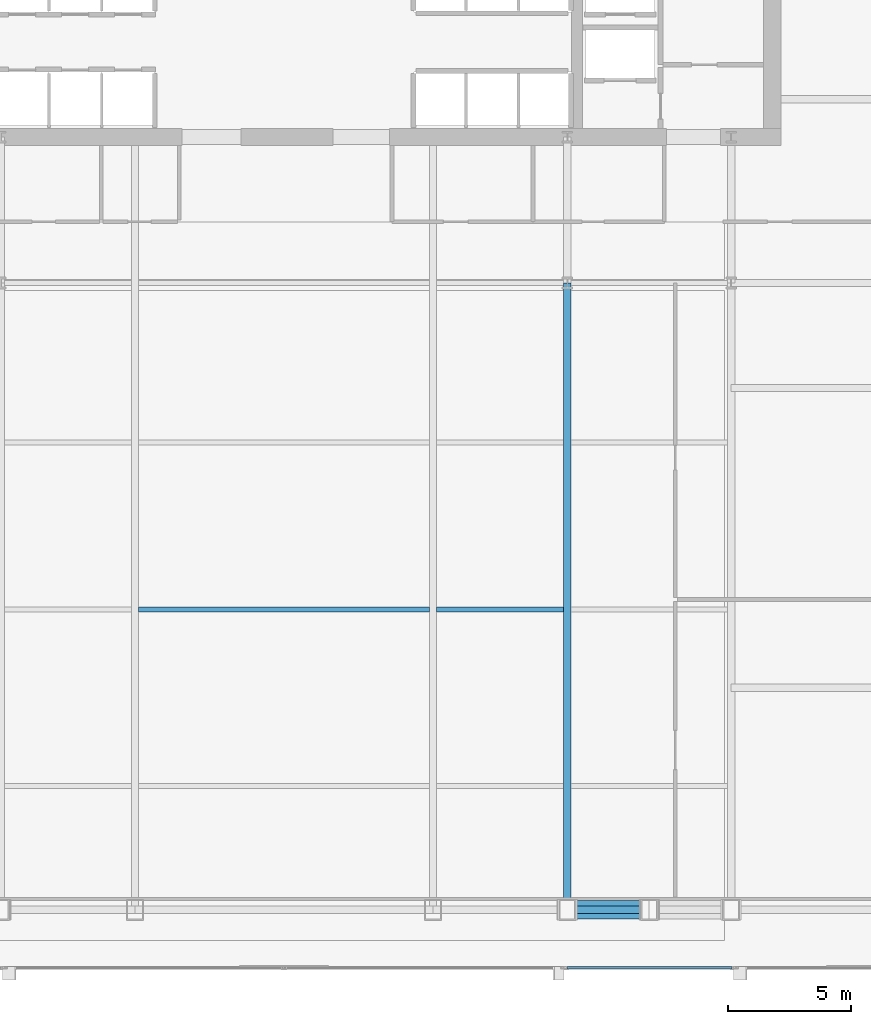
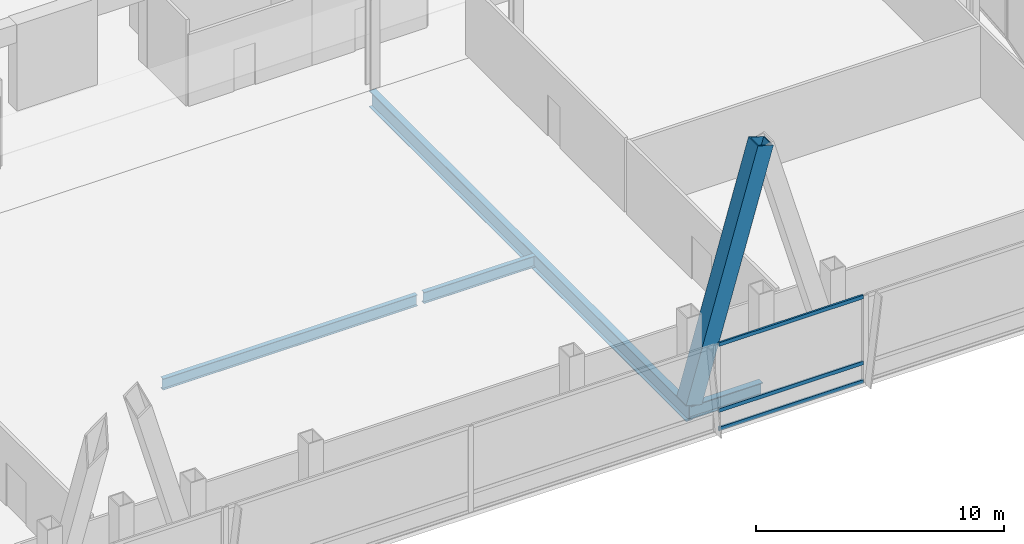
# One storey, part 15 of 32: 4 beams, 4 members, 1 element without a shape of its own.
"""IFC4 building model written with IfcOpenShell, lengths in metres."""

from ifc_helpers import new_model, si_unit, direction, frame, origin, origin_2d, place, context, subcontext, project, spatial, hollow_rectangle, i_section, extrude, material, material_profile, profile_set, type_object, element, aggregate, save


model = new_model("IFC4")

# Units and contexts
model_context = context("Model", 3, precision=1e-05, world=origin(), true_north=direction((0.0, 1.0)))
body_context = subcontext(model_context, "Body", "Model", "MODEL_VIEW")
ifc_project = project(units=[si_unit("LENGTHUNIT", "METRE"), si_unit("AREAUNIT", "SQUARE_METRE"), si_unit("VOLUMEUNIT", "CUBIC_METRE"), si_unit("PLANEANGLEUNIT", "RADIAN"), si_unit("MASSUNIT", "GRAM", prefix="KILO")], contexts=[model_context])

# Site, building, storey
site_placement = place(None, origin())
site = spatial("IfcSite", under=ifc_project, at=site_placement, CompositionType="ELEMENT")
building_placement = place(site_placement, origin())
building = spatial("IfcBuilding", under=site, at=building_placement, Name="Khoronbel Lancet Exchange", CompositionType="ELEMENT")
storey_placement = place(building_placement, frame((0.0, 0.0, 106.60009765625)))
storey = spatial("IfcBuildingStorey", under=building, at=storey_placement, Name="L25", CompositionType="ELEMENT", Elevation=106.60009765625)

# Beams
ifc_material_1 = material(Name="Steel S355", Category="steel")
ifc_material_profile_1 = material_profile(ifc_material_1, i_section(OverallWidth=0.300048828125, OverallDepth=0.800048828125, WebThickness=0.017578125, FlangeThickness=0.032958984375, at=origin_2d()), Name="HEB 800")
ifc_profile_set_1 = profile_set([ifc_material_profile_1], Name="Steel S355")
beam_type_1 = type_object("IfcBeamType", Name="BM-BG2", PredefinedType="BEAM", material=ifc_profile_set_1)
beam_1_placement = place(storey_placement, frame((48.0, 10.14990234375, -0.60009765625), z_axis=(0.0, 1.0, 0.0), x_axis=(-1.0, 0.0, 0.0)))
element("IfcBeam", 1, at=beam_1_placement, inside=storey, type_object=beam_type_1, Name="Level L25 south primary girder GS5", PredefinedType="BEAM", context=body_context, shape_type="SweptSolid", body=[
    extrude(i_section(OverallWidth=0.300048828125, OverallDepth=0.800048828125, WebThickness=0.017578125, FlangeThickness=0.032958984375, at=origin_2d()), origin(), (0.0, 0.0, 1.0), 25.550048828125),
])
ifc_material_profile_2 = material_profile(ifc_material_1, i_section(OverallWidth=0.2099609375, OverallDepth=0.550048828125, WebThickness=0.010986328125, FlangeThickness=0.01708984375, at=origin_2d()), Name="IPE 550")
ifc_profile_set_2 = profile_set([ifc_material_profile_2], Name="Steel S355")
beam_type_2 = type_object("IfcBeamType", Name="BM-BJ2", PredefinedType="JOIST", material=ifc_profile_set_2)
beam_2_placement = place(storey_placement, frame((30.52490234375, 22.39990234375, -0.47509765625), z_axis=(1.0, 0.0, 0.0), x_axis=(0.0, 1.0, 0.0)))
element("IfcBeam", 2, at=beam_2_placement, inside=storey, type_object=beam_type_2, Name="Level L25 secondary composite joist J08", PredefinedType="JOIST", context=body_context, shape_type="SweptSolid", body=[
    extrude(i_section(OverallWidth=0.2099609375, OverallDepth=0.550048828125, WebThickness=0.010986328125, FlangeThickness=0.01708984375, at=origin_2d()), origin(), (0.0, 0.0, 1.0), 11.85009765625),
])
beam_3_placement = place(storey_placement, frame((42.675048828125, 22.39990234375, -0.47509765625), z_axis=(1.0, 0.0, 0.0), x_axis=(0.0, 1.0, 0.0)))
element("IfcBeam", 3, at=beam_3_placement, inside=storey, type_object=beam_type_2, Name="Level L25 secondary composite joist J09", PredefinedType="JOIST", context=body_context, shape_type="SweptSolid", body=[
    extrude(i_section(OverallWidth=0.2099609375, OverallDepth=0.550048828125, WebThickness=0.010986328125, FlangeThickness=0.01708984375, at=origin_2d()), origin(), (0.0, 0.0, 1.0), 5.175048828125),
])
ifc_material_profile_3 = material_profile(ifc_material_1, i_section(OverallWidth=0.300048828125, OverallDepth=0.64990234375, WebThickness=0.01611328125, FlangeThickness=0.031005859375, at=origin_2d()), Name="HEB 650")
ifc_profile_set_3 = profile_set([ifc_material_profile_3], Name="Steel S355")
beam_type_3 = type_object("IfcBeamType", Name="BM-BSP1", PredefinedType="SPANDREL", material=ifc_profile_set_3)
beam_4_placement = place(storey_placement, frame((48.0, 10.14990234375, -0.525146484375), z_axis=(1.0, 0.0, 0.0), x_axis=(0.0, 1.0, 0.0)))
element("IfcBeam", 4, at=beam_4_placement, inside=storey, type_object=beam_type_3, Name="Level L25 perimeter spandrel beam SP07", PredefinedType="SPANDREL", context=body_context, shape_type="SweptSolid", body=[
    extrude(i_section(OverallWidth=0.300048828125, OverallDepth=0.64990234375, WebThickness=0.01611328125, FlangeThickness=0.031005859375, at=origin_2d()), origin(), (0.0, 0.0, 1.0), 3.33740234375),
])

# Curtain wall, members
ifc_material_2 = material(Name="Low-E Solar Control Insulating Glass", Category="glass")
curtain_wall_type = type_object("IfcCurtainWallType", Name="CW-2", PredefinedType="NOTDEFINED", material=ifc_material_2)
curtain_wall_placement = place(storey_placement, origin())
curtain_wall = element("IfcCurtainWall", 5, at=curtain_wall_placement, inside=storey, type_object=curtain_wall_type, Name="Unitised curtain wall CW-L25-SEB", PredefinedType="NOTDEFINED")
ifc_material_3 = material(Name="Bronze-Anodised Aluminium 6063-T6", Category="aluminium")
ifc_material_profile_4 = material_profile(ifc_material_3, hollow_rectangle(XDim=0.0849609375, YDim=0.179931640625, WallThickness=0.0048828125, at=origin_2d()), Name="ALU TRANSOM 85x180")
ifc_profile_set_4 = profile_set([ifc_material_profile_4], Name="Bronze-Anodised Aluminium 6063-T6")
member_type_1 = type_object("IfcMemberType", Name="MEM-CWT1", PredefinedType="USERDEFINED", material=ifc_profile_set_4)
member_1_placement = place(storey_placement, frame((47.985107421875, 7.7900390625, 0.04248046875), z_axis=(1.0, 0.0, 0.0), x_axis=(0.0, 1.0, 0.0)))
member_1 = element("IfcMember", 6, at=member_1_placement, type_object=member_type_1, Name="CW2 transom 1.1", ObjectType="TRANSOM", PredefinedType="USERDEFINED", context=body_context, shape_type="SweptSolid", body=[
    extrude(hollow_rectangle(XDim=0.0849609375, YDim=0.179931640625, WallThickness=0.0048828125, at=origin_2d()), origin(), (0.0, 0.0, 1.0), 6.72998046875),
])
member_2_placement = place(storey_placement, frame((47.985107421875, 7.7900390625, 0.949951171875), z_axis=(1.0, 0.0, 0.0), x_axis=(0.0, 1.0, 0.0)))
member_2 = element("IfcMember", 7, at=member_2_placement, type_object=member_type_1, Name="CW2 transom 1.2", ObjectType="TRANSOM", PredefinedType="USERDEFINED", context=body_context, shape_type="SweptSolid", body=[
    extrude(hollow_rectangle(XDim=0.0849609375, YDim=0.179931640625, WallThickness=0.0048828125, at=origin_2d()), origin(), (0.0, 0.0, 1.0), 6.72998046875),
])
member_3_placement = place(storey_placement, frame((47.985107421875, 7.7900390625, 4.197509765625), z_axis=(1.0, 0.0, 0.0), x_axis=(0.0, 1.0, 0.0)))
member_3 = element("IfcMember", 8, at=member_3_placement, type_object=member_type_1, Name="CW2 transom 1.3", ObjectType="TRANSOM", PredefinedType="USERDEFINED", context=body_context, shape_type="SweptSolid", body=[
    extrude(hollow_rectangle(XDim=0.0849609375, YDim=0.179931640625, WallThickness=0.0048828125, at=origin_2d()), origin(), (0.0, 0.0, 1.0), 6.72998046875),
])
aggregate(curtain_wall, [member_1, member_2, member_3])

# Member
ifc_material_4 = material(Name="Steel S460", Category="steel")
ifc_material_profile_5 = material_profile(ifc_material_4, hollow_rectangle(XDim=0.760009765625, YDim=0.760009765625, WallThickness=0.054931640625, at=origin_2d()), Name="BOX 760x760x55")
ifc_profile_set_5 = profile_set([ifc_material_profile_5], Name="Steel S460")
member_type_2 = type_object("IfcMemberType", Name="MEM-MB1", PredefinedType="BRACE", material=ifc_profile_set_5)
member_4_placement = place(storey_placement, frame((48.0, 10.14990234375, 0.0), z_axis=(0.276494474889, 0.0, 0.961015507344), x_axis=(0.0, 1.0, 0.0)))
element("IfcMember", 9, at=member_4_placement, inside=storey, type_object=member_type_2, Name="Perimeter lancet brace tier 8 S-E-L", PredefinedType="BRACE", context=body_context, shape_type="SweptSolid", body=[
    extrude(hollow_rectangle(XDim=0.760009765625, YDim=0.760009765625, WallThickness=0.054931640625, at=origin_2d()), origin(), (0.0, 0.0, 1.0), 12.0703125),
])

save(model, "model.ifc")
